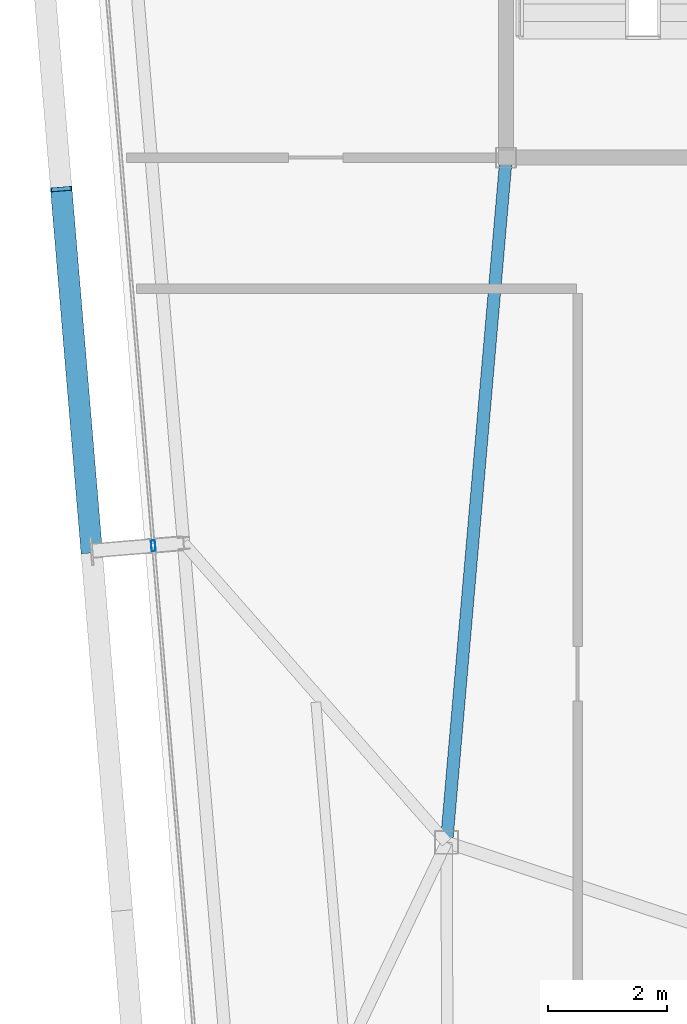
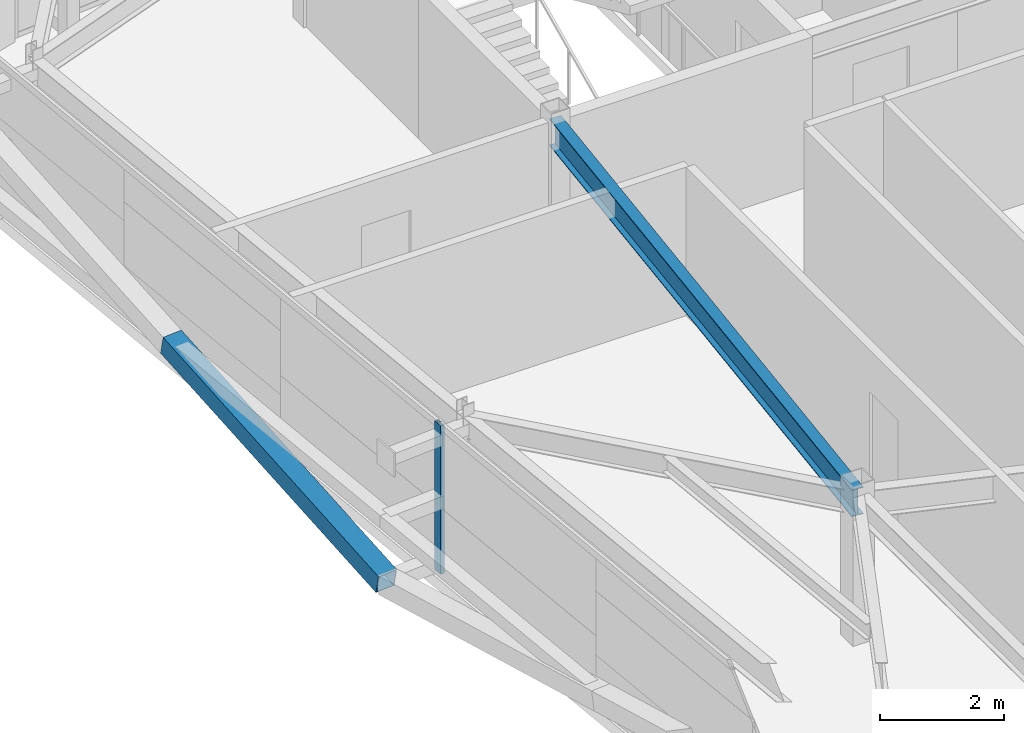
# One storey, part 12 of 37: 2 members, 1 beam, 1 element without a shape of its own.
"""IFC4 building model written with IfcOpenShell, lengths in metres."""

from ifc_helpers import new_model, si_unit, direction, frame, origin, origin_2d, place, context, subcontext, project, spatial, hollow_rectangle, i_section, extrude, source, transform, mapped, material, layer, layer_set, material_profile, profile_set, type_object, element, aggregate, save


model = new_model("IFC4")

# Units and contexts
model_context = context("Model", 3, precision=1e-05, world=origin(), true_north=direction((0.0, 1.0)))
body_context = subcontext(model_context, "Body", "Model", "MODEL_VIEW")
ifc_project = project(units=[si_unit("LENGTHUNIT", "METRE"), si_unit("AREAUNIT", "SQUARE_METRE"), si_unit("VOLUMEUNIT", "CUBIC_METRE"), si_unit("PLANEANGLEUNIT", "RADIAN"), si_unit("MASSUNIT", "GRAM", prefix="KILO")], contexts=[model_context])

# Site, building, storey
site_placement = place(None, origin())
site = spatial("IfcSite", under=ifc_project, at=site_placement, CompositionType="ELEMENT")
building_placement = place(site_placement, origin())
building = spatial("IfcBuilding", under=site, at=building_placement, Name="Taldren Reach Tower", CompositionType="ELEMENT")
storey_placement = place(building_placement, frame((0.0, 0.0, 200.89990234375)))
storey = spatial("IfcBuildingStorey", under=building, at=storey_placement, Name="L61", CompositionType="ELEMENT", Elevation=200.89990234375)

# Beam
ifc_material_1 = material(Name="Steel Gr 350 (350PLUS)", Category="steel")
ifc_material_profile_1 = material_profile(ifc_material_1, i_section(OverallWidth=0.208984375, OverallDepth=0.532958984375, WebThickness=0.01025390625, FlangeThickness=0.015625, at=origin_2d()), Name="530UB92.4")
ifc_profile_set_1 = profile_set([ifc_material_profile_1], Name="Steel Gr 350 (350PLUS)")
beam_type = type_object("IfcBeamType", Name="BM-UB530A", PredefinedType="BEAM", material=ifc_profile_set_1)
shared_shape_1 = source(origin(), body_context, "Body", "SweptSolid", [
    extrude(i_section(OverallWidth=0.208984375, OverallDepth=0.532958984375, WebThickness=0.01025390625, FlangeThickness=0.015625, at=origin_2d()), origin(), (0.0, 0.0, 1.0), 11.54345703125),
])
beam_placement = place(storey_placement, frame((19.0, 24.0, 2.66357421875), z_axis=(-0.086629616365, -0.996240588196, 0.0), x_axis=(0.996240588196, -0.086629616365, 0.0)))
element("IfcBeam", 1, at=beam_placement, inside=storey, type_object=beam_type, Name="Core-spine girder L61-SP09", PredefinedType="BEAM", context=body_context, shape_type="MappedRepresentation", body=[
    mapped(shared_shape_1, transform((0.0, 0.0, 0.0), scale=1.0)),
])

# Member
ifc_material_2 = material(Name="Steel Gr 450 (C450L0)", Category="steel")
ifc_material_profile_2 = material_profile(ifc_material_2, hollow_rectangle(XDim=0.360107421875, YDim=0.360107421875, WallThickness=0.0126953125, at=origin_2d()), Name="360x360x12.7SHS")
ifc_profile_set_2 = profile_set([ifc_material_profile_2], Name="Steel Gr 450 (C450L0)")
member_type_1 = type_object("IfcMemberType", Name="MB-EXO356", PredefinedType="BRACE", material=ifc_profile_set_2)
shared_shape_2 = source(origin(), body_context, "Body", "SweptSolid", [
    extrude(hollow_rectangle(XDim=0.360107421875, YDim=0.360107421875, WallThickness=0.0126953125, at=origin_2d()), origin(), (0.0, 0.0, 1.0), 6.2197265625),
])
member_1_placement = place(storey_placement, frame((12.0380859375, 17.3955078125, 0.22021484375), z_axis=(-0.082037206294, 0.977302565702, 0.195319205034), x_axis=(-0.996495340012, -0.08364829547, 0.0)))
element("IfcMember", 2, at=member_1_placement, inside=storey, type_object=member_type_1, Name="Exoskeleton Diagrid Brace B4-W2 L61", PredefinedType="BRACE", context=body_context, shape_type="MappedRepresentation", body=[
    mapped(shared_shape_2, transform((0.0, 0.0, 0.0), scale=1.0)),
])

# Curtain wall, member
ifc_material_3 = material(Name="Aluminium and Low-E Glass Unitised System", Category="aluminium")
ifc_layer = layer(ifc_material_3, 0.159912109375)
ifc_layer_set = layer_set([ifc_layer], Name="Aluminium and Low-E Glass Unitised System")
curtain_wall_type = type_object("IfcCurtainWallType", Name="CW-SYS-5", PredefinedType="NOTDEFINED", material=ifc_layer_set)
curtain_wall_placement = place(storey_placement, origin())
curtain_wall = element("IfcCurtainWall", 3, at=curtain_wall_placement, inside=storey, type_object=curtain_wall_type, Name="Unitised curtain wall CW-L61-W", PredefinedType="NOTDEFINED")
ifc_material_4 = material(Name="Anodised Aluminium 6063-T6", Category="aluminium")
ifc_material_profile_3 = material_profile(ifc_material_4, hollow_rectangle(XDim=0.070068359375, YDim=0.179931640625, WallThickness=0.00390625, at=origin_2d()), Name="ALU-180x70x4RHS")
ifc_profile_set_3 = profile_set([ifc_material_profile_3], Name="Anodised Aluminium 6063-T6")
member_type_2 = type_object("IfcMemberType", Name="CW-MUL-180", PredefinedType="MULLION", material=ifc_profile_set_3)
shared_shape_3 = source(origin(), body_context, "Body", "SweptSolid", [
    extrude(hollow_rectangle(XDim=0.070068359375, YDim=0.179931640625, WallThickness=0.00390625, at=origin_2d()), origin(), (0.0, 0.0, 1.0), 2.93017578125),
])
member_2_placement = place(storey_placement, frame((13.074462890625, 17.482421875, 0.0), z_axis=(0.0, 0.0, 1.0), x_axis=(0.996492847789, 0.083677979808, 0.0)))
member_2 = element("IfcMember", 4, at=member_2_placement, type_object=member_type_2, Name="CW-5 mullion 2", PredefinedType="MULLION", context=body_context, shape_type="MappedRepresentation", body=[
    mapped(shared_shape_3, transform((0.0, 0.0, 0.0), scale=1.0)),
])
aggregate(curtain_wall, [member_2])

save(model, "model.ifc")
